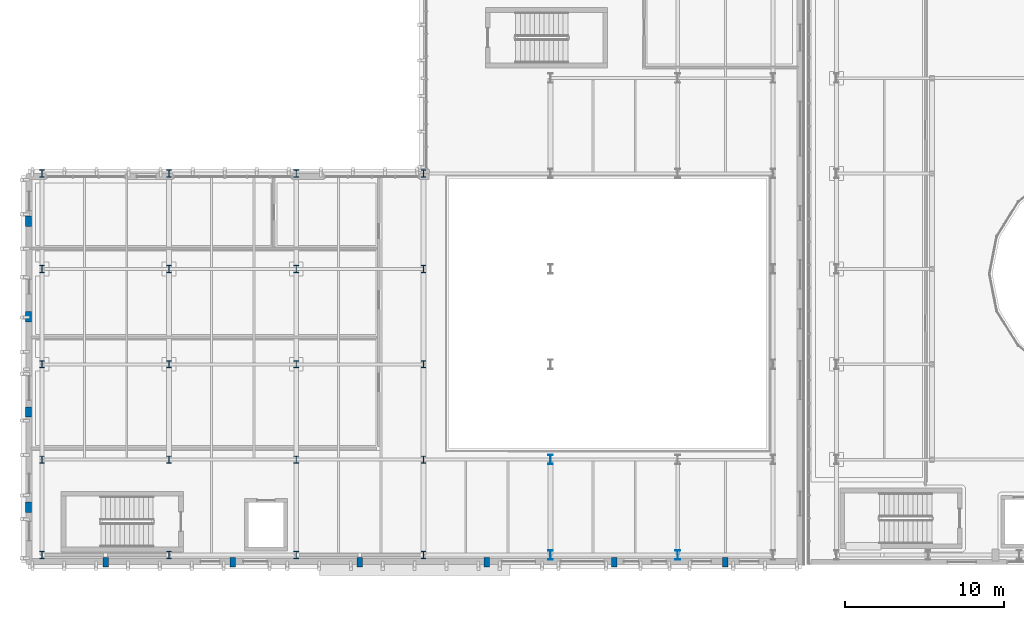
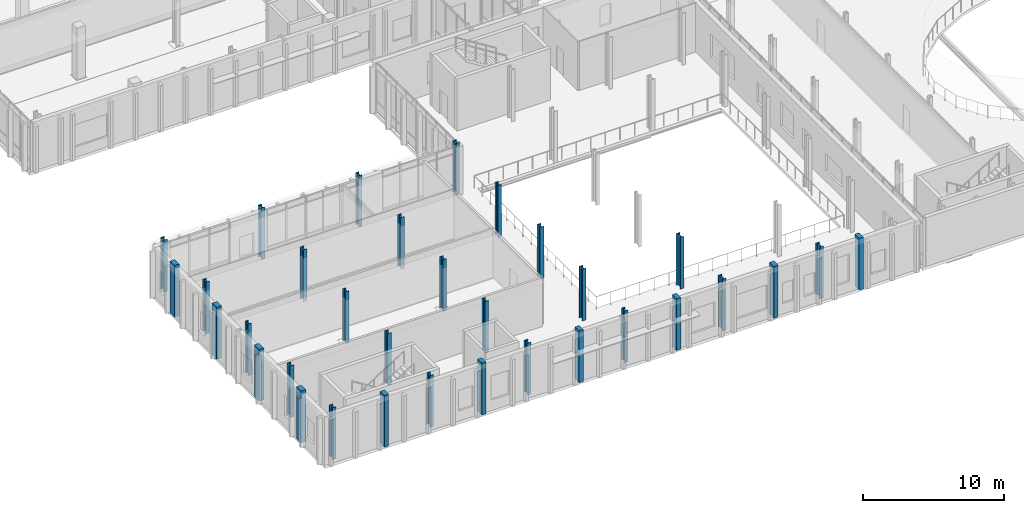
# One storey, part 1 of 100: 33 columns.
"""IFC4 building model written with IfcOpenShell, lengths in metres."""

from ifc_helpers import new_model, si_unit, direction, frame, origin, origin_2d, place, context, subcontext, project, spatial, rectangle, i_section, extrude, material, material_profile, profile_set, type_object, element, save


model = new_model("IFC4")

# Units and contexts
model_context = context("Model", 3, precision=1e-05, world=origin(), true_north=direction((0.0, 1.0)))
body_context = subcontext(model_context, "Body", "Model", "MODEL_VIEW")
ifc_project = project(units=[si_unit("LENGTHUNIT", "METRE"), si_unit("AREAUNIT", "SQUARE_METRE"), si_unit("VOLUMEUNIT", "CUBIC_METRE"), si_unit("PLANEANGLEUNIT", "RADIAN"), si_unit("MASSUNIT", "GRAM", prefix="KILO")], contexts=[model_context])

# Site, building, storey
site_placement = place(None, origin())
site = spatial("IfcSite", under=ifc_project, at=site_placement, CompositionType="ELEMENT")
building_placement = place(site_placement, origin())
building = spatial("IfcBuilding", under=site, at=building_placement, Name="Cymarion Research Institute", CompositionType="ELEMENT")
storey_placement = place(building_placement, frame((0.0, 0.0, 4.800048828125)))
storey = spatial("IfcBuildingStorey", under=building, at=storey_placement, Name="L01", CompositionType="ELEMENT", Elevation=4.800048828125)

# Columns
ifc_material_1 = material(Name="Concrete C40/50", Category="concrete")
ifc_material_profile_1 = material_profile(ifc_material_1, rectangle(XDim=0.35009765625, YDim=0.60009765625, at=origin_2d()), Name="RC 350x600")
ifc_profile_set_1 = profile_set([ifc_material_profile_1], Name="Concrete C40/50")
column_type_1 = type_object("IfcColumnType", Name="CONCRETE PILASTER PL01 RC 350x600", PredefinedType="PILASTER", material=ifc_profile_set_1)
for number, where, z_axis, x_axis, name in (
    (1, (10.60009765625, 5.050048828125, 0.0), (0.0, 0.0, 1.0), (1.0, 0.0, 0.0), "L01 V3 column PL01 #463"),
    (2, (18.60009765625, 5.050048828125, 0.0), (0.0, 0.0, 1.0), (1.0, 0.0, 0.0), "L01 V3 column PL01 #478"),
    (3, (26.60009765625, 5.050048828125, 0.0), (0.0, 0.0, 1.0), (1.0, 0.0, 0.0), "L01 V3 column PL01 #494"),
    (4, (34.60009765625, 5.050048828125, 0.0), (0.0, 0.0, 1.0), (1.0, 0.0, 0.0), "L01 V3 column PL01 #510"),
    (5, (42.60009765625, 5.050048828125, 0.0), (0.0, 0.0, 1.0), (1.0, 0.0, 0.0), "L01 V3 column PL01 #532"),
    (6, (49.60009765625, 5.050048828125, 0.0), (0.0, 0.0, 1.0), (1.0, 0.0, 0.0), "L01 V3 column PL01 #549"),
):
    element("IfcColumn", number, at=place(storey_placement, frame(where, z_axis=z_axis, x_axis=x_axis)), inside=storey, type_object=column_type_1, Name=name, PredefinedType="PILASTER", context=body_context, shape_type="SweptSolid", body=[
        extrude(rectangle(XDim=0.35009765625, YDim=0.60009765625, at=origin_2d()), origin(), (0.0, 0.0, 1.0), 4.5),
    ])
ifc_material_profile_2 = material_profile(ifc_material_1, rectangle(XDim=0.39990234375, YDim=0.64990234375, at=origin_2d()), Name="RC 400x650")
ifc_profile_set_2 = profile_set([ifc_material_profile_2], Name="Concrete C40/50")
column_type_2 = type_object("IfcColumnType", Name="CONCRETE PILASTER PL02 RC 400x650", PredefinedType="PILASTER", material=ifc_profile_set_2)
for number, where, z_axis, x_axis, name in (
    (7, (5.75, 8.5, 0.0), (0.0, 0.0, 1.0), (1.0, 0.0, 0.0), "L01 V3 column PL02 #444"),
    (8, (5.75, 14.5, 0.0), (0.0, 0.0, 1.0), (1.0, 0.0, 0.0), "L01 V3 column PL02 #445"),
    (9, (5.75, 20.5, 0.0), (0.0, 0.0, 1.0), (1.0, 0.0, 0.0), "L01 V3 column PL02 #446"),
    (10, (5.75, 26.5, 0.0), (0.0, 0.0, 1.0), (1.0, 0.0, 0.0), "L01 V3 column PL02 #447"),
):
    element("IfcColumn", number, at=place(storey_placement, frame(where, z_axis=z_axis, x_axis=x_axis)), inside=storey, type_object=column_type_2, Name=name, PredefinedType="PILASTER", context=body_context, shape_type="SweptSolid", body=[
        extrude(rectangle(XDim=0.39990234375, YDim=0.64990234375, at=origin_2d()), origin(), (0.0, 0.0, 1.0), 4.5),
    ])
ifc_material_2 = material(Name="Steel S355", Category="steel")
ifc_material_profile_3 = material_profile(ifc_material_2, i_section(OverallWidth=0.300048828125, OverallDepth=0.60009765625, WebThickness=0.015380859375, FlangeThickness=0.030029296875, FilletRadius=0.027099609375, at=origin_2d()), Name="HEB 600")
ifc_profile_set_3 = profile_set([ifc_material_profile_3], Name="Steel S355")
column_type_3 = type_object("IfcColumnType", Name="STRUCTURAL COLUMN C02 HEB 600", PredefinedType="COLUMN", material=ifc_profile_set_3)
for number, where, z_axis, x_axis, name in (
    (11, (38.60009765625, 5.5, 0.0), (0.0, 0.0, 1.0), (1.0, 0.0, 0.0), "L01 V3 column C02 #514"),
    (12, (38.60009765625, 11.5, 0.0), (0.0, 0.0, 1.0), (1.0, 0.0, 0.0), "L01 V3 column C02 #515"),
    (13, (46.60009765625, 5.5, 0.0), (0.0, 0.0, 1.0), (1.0, 0.0, 0.0), "L01 V3 column C02 #536"),
):
    element("IfcColumn", number, at=place(storey_placement, frame(where, z_axis=z_axis, x_axis=x_axis)), inside=storey, type_object=column_type_3, Name=name, PredefinedType="COLUMN", context=body_context, shape_type="SweptSolid", body=[
        extrude(i_section(OverallWidth=0.300048828125, OverallDepth=0.60009765625, WebThickness=0.015380859375, FlangeThickness=0.030029296875, FilletRadius=0.027099609375, at=origin_2d()), origin(), (0.0, 0.0, 1.0), 4.5),
    ])
ifc_material_profile_4 = material_profile(ifc_material_2, i_section(OverallWidth=0.300048828125, OverallDepth=0.449951171875, WebThickness=0.013916015625, FlangeThickness=0.02587890625, FilletRadius=0.027099609375, at=origin_2d()), Name="HEB 450")
ifc_profile_set_4 = profile_set([ifc_material_profile_4], Name="Steel S355")
column_type_4 = type_object("IfcColumnType", Name="STRUCTURAL COLUMN C05 HEB 450", PredefinedType="COLUMN", material=ifc_profile_set_4)
for number, where, z_axis, x_axis, name in (
    (14, (6.60009765625, 5.5, 0.0), (0.0, 0.0, 1.0), (1.0, 0.0, 0.0), "L01 V3 column C05 #448"),
    (15, (6.60009765625, 11.5, 0.0), (0.0, 0.0, 1.0), (1.0, 0.0, 0.0), "L01 V3 column C05 #449"),
    (16, (6.60009765625, 17.5, 0.0), (0.0, 0.0, 1.0), (1.0, 0.0, 0.0), "L01 V3 column C05 #450"),
    (17, (6.60009765625, 23.5, 0.0), (0.0, 0.0, 1.0), (1.0, 0.0, 0.0), "L01 V3 column C05 #451"),
    (18, (6.60009765625, 29.5, 0.0), (0.0, 0.0, 1.0), (1.0, 0.0, 0.0), "L01 V3 column C05 #452"),
    (19, (14.60009765625, 5.5, 0.0), (0.0, 0.0, 1.0), (1.0, 0.0, 0.0), "L01 V3 column C05 #464"),
    (20, (14.60009765625, 11.5, 0.0), (0.0, 0.0, 1.0), (1.0, 0.0, 0.0), "L01 V3 column C05 #465"),
    (21, (14.60009765625, 17.5, 0.0), (0.0, 0.0, 1.0), (1.0, 0.0, 0.0), "L01 V3 column C05 #466"),
    (22, (14.60009765625, 23.5, 0.0), (0.0, 0.0, 1.0), (1.0, 0.0, 0.0), "L01 V3 column C05 #467"),
    (23, (14.60009765625, 29.5, 0.0), (0.0, 0.0, 1.0), (1.0, 0.0, 0.0), "L01 V3 column C05 #468"),
    (24, (22.60009765625, 5.5, 0.0), (0.0, 0.0, 1.0), (1.0, 0.0, 0.0), "L01 V3 column C05 #479"),
    (25, (22.60009765625, 11.5, 0.0), (0.0, 0.0, 1.0), (1.0, 0.0, 0.0), "L01 V3 column C05 #480"),
    (26, (22.60009765625, 17.5, 0.0), (0.0, 0.0, 1.0), (1.0, 0.0, 0.0), "L01 V3 column C05 #481"),
    (27, (22.60009765625, 23.5, 0.0), (0.0, 0.0, 1.0), (1.0, 0.0, 0.0), "L01 V3 column C05 #482"),
    (28, (22.60009765625, 29.5, 0.0), (0.0, 0.0, 1.0), (1.0, 0.0, 0.0), "L01 V3 column C05 #483"),
    (29, (30.60009765625, 5.5, 0.0), (0.0, 0.0, 1.0), (1.0, 0.0, 0.0), "L01 V3 column C05 #495"),
    (30, (30.60009765625, 11.5, 0.0), (0.0, 0.0, 1.0), (1.0, 0.0, 0.0), "L01 V3 column C05 #496"),
    (31, (30.60009765625, 17.5, 0.0), (0.0, 0.0, 1.0), (1.0, 0.0, 0.0), "L01 V3 column C05 #497"),
    (32, (30.60009765625, 23.5, 0.0), (0.0, 0.0, 1.0), (1.0, 0.0, 0.0), "L01 V3 column C05 #498"),
    (33, (30.60009765625, 29.5, 0.0), (0.0, 0.0, 1.0), (1.0, 0.0, 0.0), "L01 V3 column C05 #499"),
):
    element("IfcColumn", number, at=place(storey_placement, frame(where, z_axis=z_axis, x_axis=x_axis)), inside=storey, type_object=column_type_4, Name=name, PredefinedType="COLUMN", context=body_context, shape_type="SweptSolid", body=[
        extrude(i_section(OverallWidth=0.300048828125, OverallDepth=0.449951171875, WebThickness=0.013916015625, FlangeThickness=0.02587890625, FilletRadius=0.027099609375, at=origin_2d()), origin(), (0.0, 0.0, 1.0), 4.5),
    ])

save(model, "model.ifc")
